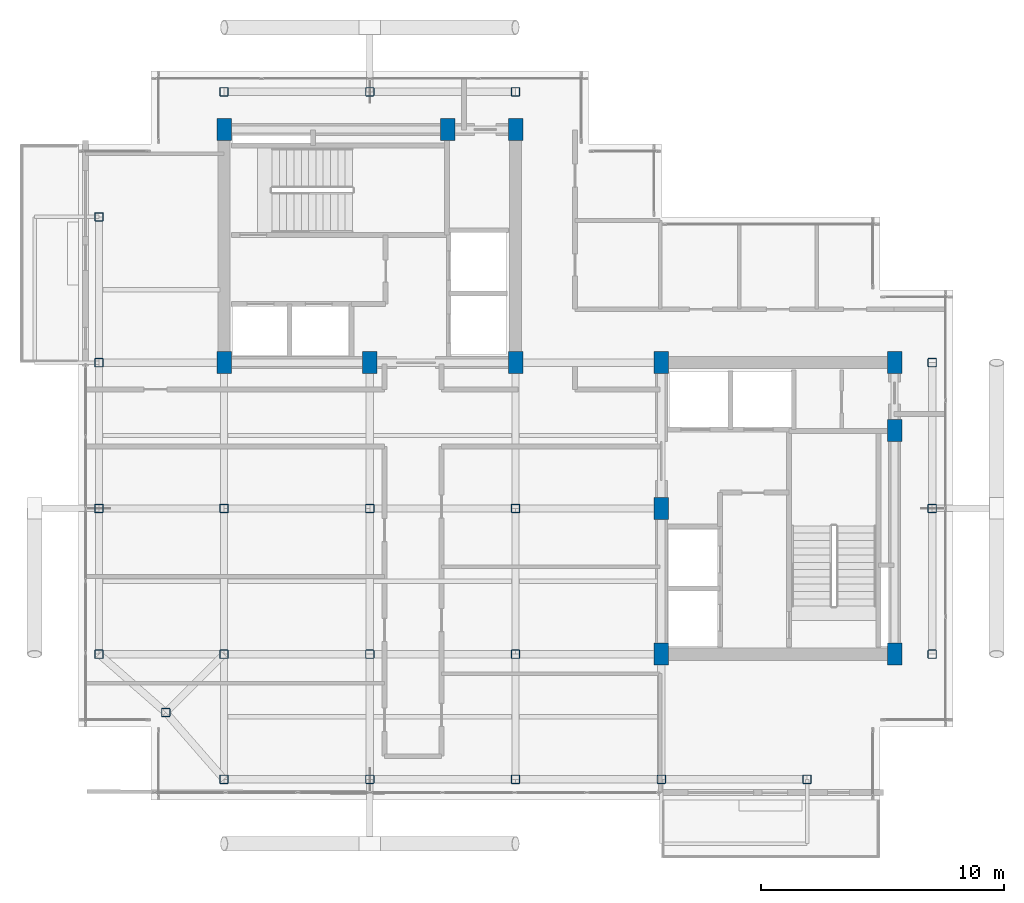
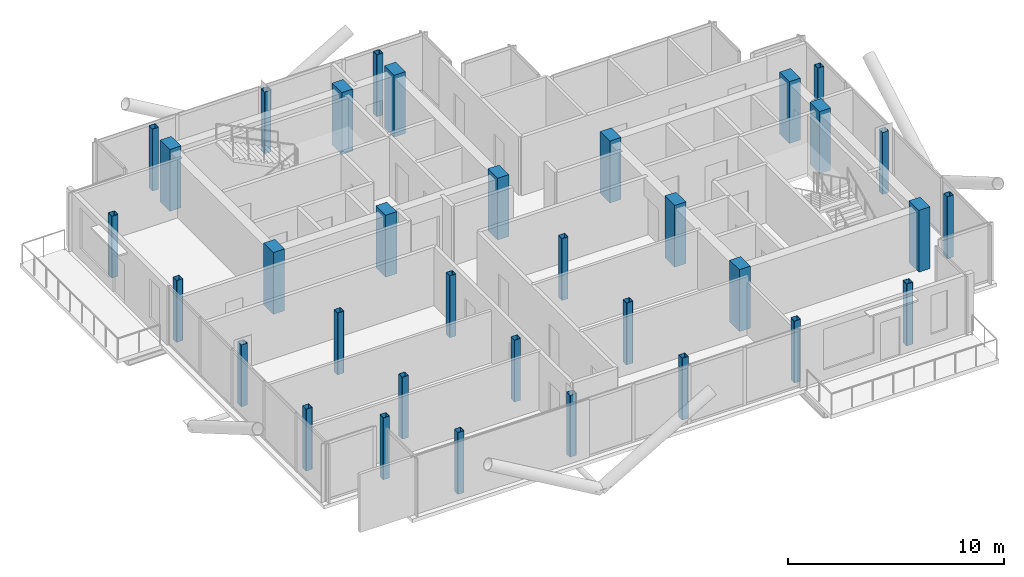
# One storey, part 1 of 18: 34 columns.
"""IFC4 building model written with IfcOpenShell, lengths in metres."""

from ifc_helpers import new_model, si_unit, direction, frame, origin, origin_2d, place, context, subcontext, project, spatial, rectangle, hollow_rectangle, extrude, material, material_profile, profile_set, type_object, element, save


model = new_model("IFC4")

# Units and contexts
model_context = context("Model", 3, precision=1e-05, world=origin(), true_north=direction((0.0, 1.0)))
body_context = subcontext(model_context, "Body", "Model", "MODEL_VIEW")
ifc_project = project(units=[si_unit("LENGTHUNIT", "METRE"), si_unit("AREAUNIT", "SQUARE_METRE"), si_unit("VOLUMEUNIT", "CUBIC_METRE"), si_unit("PLANEANGLEUNIT", "RADIAN"), si_unit("MASSUNIT", "GRAM", prefix="KILO"), si_unit("THERMODYNAMICTEMPERATUREUNIT", "KELVIN"), si_unit("POWERUNIT", "WATT")], contexts=[model_context])

# Site, building, storey
site_placement = place(None, origin())
site = spatial("IfcSite", under=ifc_project, at=site_placement, CompositionType="ELEMENT")
building_placement = place(site_placement, origin())
building = spatial("IfcBuilding", under=site, at=building_placement, Name="Svarakhadi Broadcast Tower", CompositionType="ELEMENT")
storey_placement = place(building_placement, frame((0.0, 0.0, 274.699951171875)))
storey = spatial("IfcBuildingStorey", under=building, at=storey_placement, Name="L69", CompositionType="ELEMENT", Elevation=274.699951171875)

# Columns
ifc_material_1 = material(Name="Concrete C50/60 (IS 456 M60)", Category="concrete")
ifc_material_profile_1 = material_profile(ifc_material_1, rectangle(XDim=0.60009765625, YDim=0.89990234375, at=origin_2d()), Name="RC 600x900")
ifc_profile_set_1 = profile_set([ifc_material_profile_1], Name="Concrete C50/60 (IS 456 M60)")
column_type_1 = type_object("IfcColumnType", Name="Col_RC600", PredefinedType="COLUMN", material=ifc_profile_set_1)
for number, where, z_axis, x_axis, name in (
    (1, (6.0, 18.0, 0.0), (0.0, 0.0, 1.0), (1.0, 0.0, 0.0), "L69 Column CW1"),
    (2, (12.0, 18.0, 0.0), (0.0, 0.0, 1.0), (1.0, 0.0, 0.0), "L69 Column CW2"),
    (3, (18.0, 18.0, 0.0), (0.0, 0.0, 1.0), (1.0, 0.0, 0.0), "L69 Column CW3"),
    (4, (6.0, 27.60009765625, 0.0), (0.0, 0.0, 1.0), (1.0, 0.0, 0.0), "L69 Column CW4"),
    (5, (15.199951171875, 27.60009765625, 0.0), (0.0, 0.0, 1.0), (1.0, 0.0, 0.0), "L69 Column CW5"),
    (6, (18.0, 27.60009765625, 0.0), (0.0, 0.0, 1.0), (1.0, 0.0, 0.0), "L69 Column CW6"),
    (7, (24.0, 6.0, 0.0), (0.0, 0.0, 1.0), (1.0, 0.0, 0.0), "L69 Column CE1"),
    (8, (24.0, 12.0, 0.0), (0.0, 0.0, 1.0), (1.0, 0.0, 0.0), "L69 Column CE2"),
    (9, (24.0, 18.0, 0.0), (0.0, 0.0, 1.0), (1.0, 0.0, 0.0), "L69 Column CE3"),
    (10, (33.60009765625, 6.0, 0.0), (0.0, 0.0, 1.0), (1.0, 0.0, 0.0), "L69 Column CE4"),
    (11, (33.60009765625, 15.199951171875, 0.0), (0.0, 0.0, 1.0), (1.0, 0.0, 0.0), "L69 Column CE5"),
    (12, (33.60009765625, 18.0, 0.0), (0.0, 0.0, 1.0), (1.0, 0.0, 0.0), "L69 Column CE6"),
):
    element("IfcColumn", number, at=place(storey_placement, frame(where, z_axis=z_axis, x_axis=x_axis)), inside=storey, type_object=column_type_1, Name=name, PredefinedType="COLUMN", context=body_context, shape_type="SweptSolid", body=[
        extrude(rectangle(XDim=0.60009765625, YDim=0.89990234375, at=origin_2d()), origin(), (0.0, 0.0, 1.0), 3.5),
    ])
ifc_material_2 = material(Name="Steel S460ML (IS 2062 E450BR)", Category="steel")
ifc_material_profile_2 = material_profile(ifc_material_2, hollow_rectangle(XDim=0.35009765625, YDim=0.35009765625, WallThickness=0.01611328125, InnerFilletRadius=0.01611328125, OuterFilletRadius=0.031982421875, at=origin_2d()), Name="SHS 350x350x16")
ifc_profile_set_2 = profile_set([ifc_material_profile_2], Name="Steel S460ML (IS 2062 E450BR)")
column_type_2 = type_object("IfcColumnType", Name="Col_SHS350", PredefinedType="COLUMN", material=ifc_profile_set_2)
for number, where, z_axis, x_axis, name in (
    (13, (3.60009765625, 3.60009765625, 0.0), (0.0, 0.0, 1.0), (1.0, 0.0, 0.0), "L69 Column G01"),
    (14, (0.85009765625, 6.0, 0.0), (0.0, 0.0, 1.0), (1.0, 0.0, 0.0), "L69 Column G03"),
    (15, (0.85009765625, 12.0, 0.0), (0.0, 0.0, 1.0), (1.0, 0.0, 0.0), "L69 Column G04"),
    (16, (0.85009765625, 18.0, 0.0), (0.0, 0.0, 1.0), (1.0, 0.0, 0.0), "L69 Column G05"),
    (17, (0.85009765625, 24.0, 0.0), (0.0, 0.0, 1.0), (1.0, 0.0, 0.0), "L69 Column G06"),
    (18, (6.0, 0.85009765625, 0.0), (0.0, 0.0, 1.0), (1.0, 0.0, 0.0), "L69 Column G11"),
    (19, (6.0, 6.0, 0.0), (0.0, 0.0, 1.0), (1.0, 0.0, 0.0), "L69 Column G12"),
    (20, (6.0, 12.0, 0.0), (0.0, 0.0, 1.0), (1.0, 0.0, 0.0), "L69 Column G13"),
    (21, (6.0, 29.14990234375, 0.0), (0.0, 0.0, 1.0), (1.0, 0.0, 0.0), "L69 Column G14"),
    (22, (12.0, 0.85009765625, 0.0), (0.0, 0.0, 1.0), (1.0, 0.0, 0.0), "L69 Column G18"),
    (23, (12.0, 6.0, 0.0), (0.0, 0.0, 1.0), (1.0, 0.0, 0.0), "L69 Column G19"),
    (24, (12.0, 12.0, 0.0), (0.0, 0.0, 1.0), (1.0, 0.0, 0.0), "L69 Column G20"),
    (25, (12.0, 29.14990234375, 0.0), (0.0, 0.0, 1.0), (1.0, 0.0, 0.0), "L69 Column G21"),
    (26, (18.0, 0.85009765625, 0.0), (0.0, 0.0, 1.0), (1.0, 0.0, 0.0), "L69 Column G25"),
    (27, (18.0, 6.0, 0.0), (0.0, 0.0, 1.0), (1.0, 0.0, 0.0), "L69 Column G26"),
    (28, (18.0, 12.0, 0.0), (0.0, 0.0, 1.0), (1.0, 0.0, 0.0), "L69 Column G27"),
    (29, (18.0, 29.14990234375, 0.0), (0.0, 0.0, 1.0), (1.0, 0.0, 0.0), "L69 Column G28"),
    (30, (24.0, 0.85009765625, 0.0), (0.0, 0.0, 1.0), (1.0, 0.0, 0.0), "L69 Column G32"),
    (31, (30.0, 0.85009765625, 0.0), (0.0, 0.0, 1.0), (1.0, 0.0, 0.0), "L69 Column G36"),
    (32, (35.14990234375, 6.0, 0.0), (0.0, 0.0, 1.0), (1.0, 0.0, 0.0), "L69 Column G39"),
    (33, (35.14990234375, 12.0, 0.0), (0.0, 0.0, 1.0), (1.0, 0.0, 0.0), "L69 Column G40"),
    (34, (35.14990234375, 18.0, 0.0), (0.0, 0.0, 1.0), (1.0, 0.0, 0.0), "L69 Column G41"),
):
    element("IfcColumn", number, at=place(storey_placement, frame(where, z_axis=z_axis, x_axis=x_axis)), inside=storey, type_object=column_type_2, Name=name, PredefinedType="COLUMN", context=body_context, shape_type="SweptSolid", body=[
        extrude(hollow_rectangle(XDim=0.35009765625, YDim=0.35009765625, WallThickness=0.01611328125, InnerFilletRadius=0.01611328125, OuterFilletRadius=0.031982421875, at=origin_2d()), origin(), (0.0, 0.0, 1.0), 3.5),
    ])

save(model, "model.ifc")
